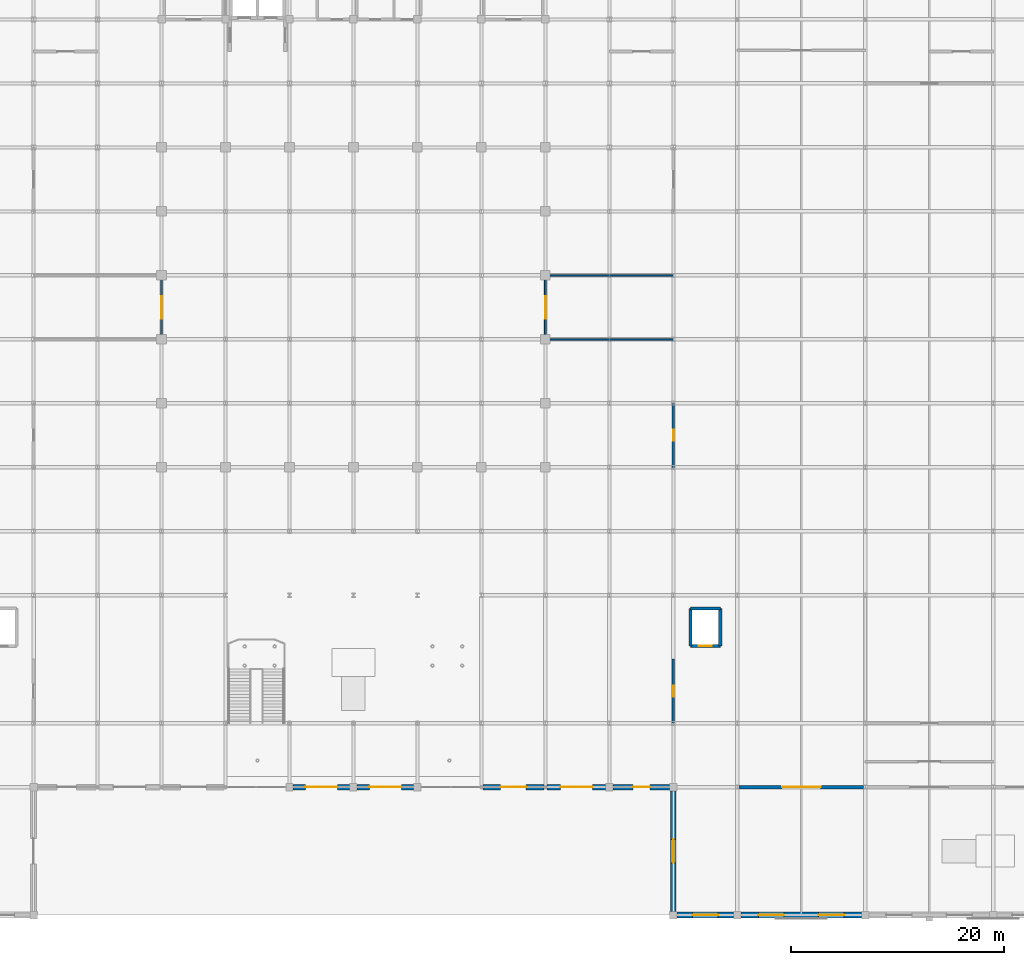
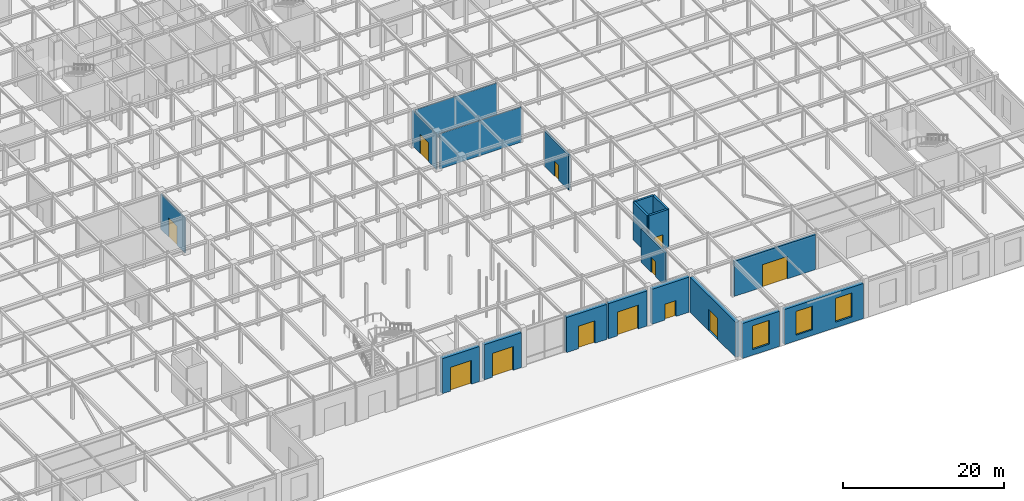
# One storey, part 42 of 51: 19 walls, 12 doors, 3 windows, 15 openings.
"""IFC4 building model written with IfcOpenShell, lengths in metres."""

from ifc_helpers import new_model, si_unit, direction, frame, frame_2d, origin, place, context, subcontext, project, spatial, rectangle, extrude, material, layer, layer_set, type_object, element, fill, save


model = new_model("IFC4")

# Units and contexts
model_context = context("Model", 3, precision=1e-05, world=origin(), true_north=direction((0.0, 1.0)))
body_context = subcontext(model_context, "Body", "Model", "MODEL_VIEW")
ifc_project = project(units=[si_unit("LENGTHUNIT", "METRE"), si_unit("AREAUNIT", "SQUARE_METRE"), si_unit("VOLUMEUNIT", "CUBIC_METRE"), si_unit("PLANEANGLEUNIT", "RADIAN"), si_unit("MASSUNIT", "GRAM", prefix="KILO")], contexts=[model_context])

# Site, building, storey
site_placement = place(None, origin())
site = spatial("IfcSite", under=ifc_project, at=site_placement, CompositionType="ELEMENT")
building_placement = place(site_placement, origin())
building = spatial("IfcBuilding", under=site, at=building_placement, Name="Zlatovratsky Civic Hall", CompositionType="ELEMENT")
storey_placement = place(building_placement, origin())
storey = spatial("IfcBuildingStorey", under=building, at=storey_placement, Name="L01", CompositionType="ELEMENT", Elevation=0.0)

# Wall, opening, door
ifc_material_1 = material(Name="Acoustic ceramic blockwork", Category="masonry")
ifc_layer_1 = layer(ifc_material_1, 0.179931640625)
ifc_layer_set_1 = layer_set([ifc_layer_1], Name="Acoustic ceramic blockwork")
wall_type_1 = type_object("IfcWallType", Name="Wall_AcousticChamberPartition_180", PredefinedType="PARTITIONING", material=ifc_layer_set_1)
wall_1_placement = place(storey_placement, frame((66.0, 54.0, 0.0), z_axis=(0.0, 0.0, 1.0), x_axis=(0.0, 1.0, 0.0)))
wall_1 = element("IfcWall", 1, at=wall_1_placement, inside=storey, type_object=wall_type_1, Name="WL-6070", PredefinedType="PARTITIONING", context=body_context, shape_type="SweptSolid", body=[
    extrude(rectangle(XDim=6.0, YDim=0.179931640625, at=frame_2d((3.0, 0.0))), origin(), (0.0, 0.0, 1.0), 5.320068359375),
])
opening_1_placement = place(wall_1_placement, frame((1.949951171875, 0.0, 0.0)))
opening_1 = element("IfcOpeningElement", 2, at=opening_1_placement, cuts=wall_1, Name="Opening D-11", PredefinedType="OPENING", context=body_context, shape_type="SweptSolid", body=[
    extrude(rectangle(XDim=2.10009765625, YDim=2.89990234375, at=frame_2d((1.050048828125, 1.449951171875))), frame((0.0, 0.10498046875, 0.0), z_axis=(0.0, -1.0, 0.0), x_axis=(1.0, 0.0, 0.0)), (0.0, 0.0, 1.0), 0.209716796875),
])
ifc_material_2 = material(Name="Solid oak joinery in steel frame", Category="steel")
door_type_1 = type_object("IfcDoorType", Name="Door_ChamberFoyerDouble_2100x2900", OperationType="DOUBLE_DOOR_SINGLE_SWING", PredefinedType="DOOR", material=ifc_material_2)
door_1_placement = place(opening_1_placement, origin())
door_1 = element("IfcDoor", 3, at=door_1_placement, inside=storey, type_object=door_type_1, Name="DR-5231", OperationType="DOUBLE_DOOR_SINGLE_SWING", OverallHeight=2.89990234375, OverallWidth=2.10009765625, PredefinedType="DOOR", context=body_context, shape_type="SweptSolid", body=[
    extrude(rectangle(XDim=2.10009765625, YDim=2.89990234375, at=frame_2d((1.050048828125, 1.449951171875))), frame((0.0, 0.02490234375, 0.0), z_axis=(0.0, -1.0, 0.0), x_axis=(1.0, 0.0, 0.0)), (0.0, 0.0, 1.0), 0.050048828125),
])
fill(opening_1, door_1)

wall_2_placement = place(storey_placement, frame((102.0, 54.0, 0.0), z_axis=(0.0, 0.0, 1.0), x_axis=(0.0, 1.0, 0.0)))
wall_2 = element("IfcWall", 4, at=wall_2_placement, inside=storey, type_object=wall_type_1, Name="WL-6073", PredefinedType="PARTITIONING", context=body_context, shape_type="SweptSolid", body=[
    extrude(rectangle(XDim=6.0, YDim=0.179931640625, at=frame_2d((3.0, 0.0))), origin(), (0.0, 0.0, 1.0), 5.320068359375),
])
opening_2_placement = place(wall_2_placement, frame((1.949951171875, 0.0, 0.0)))
opening_2 = element("IfcOpeningElement", 5, at=opening_2_placement, cuts=wall_2, Name="Opening D-11", PredefinedType="OPENING", context=body_context, shape_type="SweptSolid", body=[
    extrude(rectangle(XDim=2.10009765625, YDim=2.89990234375, at=frame_2d((1.050048828125, 1.449951171875))), frame((0.0, 0.10498046875, 0.0), z_axis=(0.0, -1.0, 0.0), x_axis=(1.0, 0.0, 0.0)), (0.0, 0.0, 1.0), 0.209716796875),
])
door_2_placement = place(opening_2_placement, origin())
door_2 = element("IfcDoor", 6, at=door_2_placement, inside=storey, type_object=door_type_1, Name="DR-5234", OperationType="DOUBLE_DOOR_SINGLE_SWING", OverallHeight=2.89990234375, OverallWidth=2.10009765625, PredefinedType="DOOR", context=body_context, shape_type="SweptSolid", body=[
    extrude(rectangle(XDim=2.10009765625, YDim=2.89990234375, at=frame_2d((1.050048828125, 1.449951171875))), frame((0.0, 0.02490234375, 0.0), z_axis=(0.0, -1.0, 0.0), x_axis=(1.0, 0.0, 0.0)), (0.0, 0.0, 1.0), 0.050048828125),
])
fill(opening_2, door_2)

ifc_layer_2 = layer(ifc_material_1, 0.260009765625)
ifc_layer_set_2 = layer_set([ifc_layer_2], Name="Acoustic ceramic blockwork")
wall_type_2 = type_object("IfcWallType", Name="Wall_ArchiveCompartment_260", PredefinedType="PARTITIONING", material=ifc_layer_set_2)
wall_3_placement = place(storey_placement, frame((114.0, 42.0, 0.0), z_axis=(0.0, 0.0, 1.0), x_axis=(0.0, 1.0, 0.0)))
wall_3 = element("IfcWall", 7, at=wall_3_placement, inside=storey, type_object=wall_type_2, Name="WL-6084", PredefinedType="PARTITIONING", context=body_context, shape_type="SweptSolid", body=[
    extrude(rectangle(XDim=6.0, YDim=0.260009765625, at=frame_2d((3.0, 0.0))), origin(), (0.0, 0.0, 1.0), 5.320068359375),
])
opening_3_placement = place(wall_3_placement, frame((2.47509765625, 0.0, 0.0)))
opening_3 = element("IfcOpeningElement", 8, at=opening_3_placement, cuts=wall_3, Name="Opening D-24", PredefinedType="OPENING", context=body_context, shape_type="SweptSolid", body=[
    extrude(rectangle(XDim=1.050048828125, YDim=2.25, at=frame_2d((0.52490234375, 1.125))), frame((0.0, 0.14501953125, 0.0), z_axis=(0.0, -1.0, 0.0), x_axis=(1.0, 0.0, 0.0)), (0.0, 0.0, 1.0), 0.289794921875),
])
door_type_2 = type_object("IfcDoorType", Name="Door_DirectorateOffice_1050x2250", OperationType="NOTDEFINED", PredefinedType="DOOR", material=ifc_material_2)
door_3_placement = place(opening_3_placement, origin())
door_3 = element("IfcDoor", 9, at=door_3_placement, inside=storey, type_object=door_type_2, Name="DR-5245", OperationType="SINGLE_SWING_LEFT", OverallHeight=2.25, OverallWidth=1.050048828125, PredefinedType="DOOR", context=body_context, shape_type="SweptSolid", body=[
    extrude(rectangle(XDim=1.050048828125, YDim=2.25, at=frame_2d((0.52490234375, 1.125))), frame((0.0, 0.02490234375, 0.0), z_axis=(0.0, -1.0, 0.0), x_axis=(1.0, 0.0, 0.0)), (0.0, 0.0, 1.0), 0.050048828125),
])
fill(opening_3, door_3)

wall_4_placement = place(storey_placement, frame((114.0, 18.0, 0.0), z_axis=(0.0, 0.0, 1.0), x_axis=(0.0, 1.0, 0.0)))
wall_4 = element("IfcWall", 10, at=wall_4_placement, inside=storey, type_object=wall_type_2, Name="WL-6090", PredefinedType="PARTITIONING", context=body_context, shape_type="SweptSolid", body=[
    extrude(rectangle(XDim=6.0, YDim=0.260009765625, at=frame_2d((3.0, 0.0))), origin(), (0.0, 0.0, 1.0), 5.076904296875),
])
opening_4_placement = place(wall_4_placement, frame((2.47509765625, 0.0, 0.0)))
opening_4 = element("IfcOpeningElement", 11, at=opening_4_placement, cuts=wall_4, Name="Opening D-24", PredefinedType="OPENING", context=body_context, shape_type="SweptSolid", body=[
    extrude(rectangle(XDim=1.050048828125, YDim=2.25, at=frame_2d((0.52490234375, 1.125))), frame((0.0, 0.14501953125, 0.0), z_axis=(0.0, -1.0, 0.0), x_axis=(1.0, 0.0, 0.0)), (0.0, 0.0, 1.0), 0.289794921875),
])
door_4_placement = place(opening_4_placement, origin())
door_4 = element("IfcDoor", 12, at=door_4_placement, inside=storey, type_object=door_type_2, Name="DR-5251", OperationType="SINGLE_SWING_LEFT", OverallHeight=2.25, OverallWidth=1.050048828125, PredefinedType="DOOR", context=body_context, shape_type="SweptSolid", body=[
    extrude(rectangle(XDim=1.050048828125, YDim=2.25, at=frame_2d((0.52490234375, 1.125))), frame((0.0, 0.02490234375, 0.0), z_axis=(0.0, -1.0, 0.0), x_axis=(1.0, 0.0, 0.0)), (0.0, 0.0, 1.0), 0.050048828125),
])
fill(opening_4, door_4)

# Walls
ifc_material_3 = material(Name="Fire-rated gypsum board framing", Category="gypsum")
ifc_layer_3 = layer(ifc_material_3, 0.139892578125)
ifc_layer_set_3 = layer_set([ifc_layer_3], Name="Fire-rated gypsum board framing")
wall_type_3 = type_object("IfcWallType", Name="Wall_OfficePartition_140", PredefinedType="PARTITIONING", material=ifc_layer_set_3)
for number, where, z_axis, x_axis, name in (
    (13, (102.340087890625, 54.0, 0.0), (0.0, 0.0, 1.0), (1.0, 0.0, 0.0), "WL-6097"),
    (14, (102.340087890625, 60.0, 0.0), (0.0, 0.0, 1.0), (1.0, 0.0, 0.0), "WL-6098"),
):
    element("IfcWall", number, at=place(storey_placement, frame(where, z_axis=z_axis, x_axis=x_axis)), inside=storey, type_object=wall_type_3, Name=name, PredefinedType="PARTITIONING", context=body_context, shape_type="SweptSolid", body=[
        extrude(rectangle(XDim=11.659912109375, YDim=0.139892578125, at=frame_2d((5.830078125, 0.0))), origin(), (0.0, 0.0, 1.0), 5.320068359375),
    ])

# Wall, opening, window
ifc_layer_4 = layer(ifc_material_1, 0.39990234375, Name="Backing")
ifc_material_4 = material(Name="Polished Karelian granite ashlar", Category="masonry")
ifc_layer_5 = layer(ifc_material_4, 0.139892578125, Name="Finish")
ifc_layer_set_4 = layer_set([ifc_layer_4, ifc_layer_5], Name="Acoustic ceramic blockwork")
wall_type_4 = type_object("IfcWallType", Name="Wall_PodiumGraniteArcade_540", PredefinedType="SOLIDWALL", material=ifc_layer_set_4)
wall_5_placement = place(storey_placement, frame((114.35009765625, 0.0, 0.0), z_axis=(0.0, 0.0, 1.0), x_axis=(1.0, 0.0, 0.0)))
wall_5 = element("IfcWall", 15, at=wall_5_placement, inside=storey, type_object=wall_type_4, Name="WL-0088", PredefinedType="SOLIDWALL", context=body_context, shape_type="SweptSolid", body=[
    extrude(rectangle(XDim=5.2998046875, YDim=0.5400390625, at=frame_2d((2.64990234375, 0.0))), origin(), (0.0, 0.0, 1.0), 5.31005859375),
])
opening_5_placement = place(wall_5_placement, frame((1.449951171875, 0.0, 0.85009765625)))
opening_5 = element("IfcOpeningElement", 16, at=opening_5_placement, cuts=wall_5, Name="Opening WN-01", PredefinedType="OPENING", context=body_context, shape_type="SweptSolid", body=[
    extrude(rectangle(XDim=2.39990234375, YDim=3.60009765625, at=frame_2d((1.199951171875, 1.800048828125))), frame((0.0, 0.284912109375, 0.0), z_axis=(0.0, -1.0, 0.0), x_axis=(1.0, 0.0, 0.0)), (0.0, 0.0, 1.0), 0.56982421875),
])
ifc_material_5 = material(Name="Low-E laminated double glazing", Category="glass")
window_type = type_object("IfcWindowType", Name="Window_GroundArcadeTall_2400x3600", PartitioningType="SINGLE_PANEL", PredefinedType="WINDOW", material=ifc_material_5)
window_1_placement = place(opening_5_placement, origin())
window_1 = element("IfcWindow", 17, at=window_1_placement, inside=storey, type_object=window_type, Name="WN-0010", OverallHeight=3.60009765625, OverallWidth=2.39990234375, PartitioningType="SINGLE_PANEL", PredefinedType="WINDOW", context=body_context, shape_type="SweptSolid", body=[
    extrude(rectangle(XDim=2.39990234375, YDim=3.60009765625, at=frame_2d((1.199951171875, 1.800048828125))), frame((0.0, 0.030029296875, 0.0), z_axis=(0.0, -1.0, 0.0), x_axis=(1.0, 0.0, 0.0)), (0.0, 0.0, 1.0), 0.06005859375),
])
fill(opening_5, window_1)

# Wall, openings, windows
wall_6_placement = place(storey_placement, frame((120.35009765625, 0.0, 0.0), z_axis=(0.0, 0.0, 1.0), x_axis=(1.0, 0.0, 0.0)))
wall_6 = element("IfcWall", 18, at=wall_6_placement, inside=storey, type_object=wall_type_4, Name="WL-0089", PredefinedType="SOLIDWALL", context=body_context, shape_type="SweptSolid", body=[
    extrude(rectangle(XDim=11.2998046875, YDim=0.5400390625, at=frame_2d((5.64990234375, 0.0))), origin(), (0.0, 0.0, 1.0), 5.31005859375),
])
opening_6_placement = place(wall_6_placement, frame((1.625, 0.0, 0.85009765625)))
opening_6 = element("IfcOpeningElement", 19, at=opening_6_placement, cuts=wall_6, Name="Opening WN-01", PredefinedType="OPENING", context=body_context, shape_type="SweptSolid", body=[
    extrude(rectangle(XDim=2.39990234375, YDim=3.60009765625, at=frame_2d((1.199951171875, 1.800048828125))), frame((0.0, 0.284912109375, 0.0), z_axis=(0.0, -1.0, 0.0), x_axis=(1.0, 0.0, 0.0)), (0.0, 0.0, 1.0), 0.56982421875),
])
opening_7_placement = place(wall_6_placement, frame((7.27490234375, 0.0, 0.85009765625)))
opening_7 = element("IfcOpeningElement", 20, at=opening_7_placement, cuts=wall_6, Name="Opening WN-01", PredefinedType="OPENING", context=body_context, shape_type="SweptSolid", body=[
    extrude(rectangle(XDim=2.39990234375, YDim=3.60009765625, at=frame_2d((1.199951171875, 1.800048828125))), frame((0.0, 0.284912109375, 0.0), z_axis=(0.0, -1.0, 0.0), x_axis=(1.0, 0.0, 0.0)), (0.0, 0.0, 1.0), 0.56982421875),
])
window_2_placement = place(opening_6_placement, origin())
window_2 = element("IfcWindow", 21, at=window_2_placement, inside=storey, type_object=window_type, Name="WN-0011", OverallHeight=3.60009765625, OverallWidth=2.39990234375, PartitioningType="SINGLE_PANEL", PredefinedType="WINDOW", context=body_context, shape_type="SweptSolid", body=[
    extrude(rectangle(XDim=2.39990234375, YDim=3.60009765625, at=frame_2d((1.199951171875, 1.800048828125))), frame((0.0, 0.030029296875, 0.0), z_axis=(0.0, -1.0, 0.0), x_axis=(1.0, 0.0, 0.0)), (0.0, 0.0, 1.0), 0.06005859375),
])
fill(opening_6, window_2)
window_3_placement = place(opening_7_placement, origin())
window_3 = element("IfcWindow", 22, at=window_3_placement, inside=storey, type_object=window_type, Name="WN-0012", OverallHeight=3.60009765625, OverallWidth=2.39990234375, PartitioningType="SINGLE_PANEL", PredefinedType="WINDOW", context=body_context, shape_type="SweptSolid", body=[
    extrude(rectangle(XDim=2.39990234375, YDim=3.60009765625, at=frame_2d((1.199951171875, 1.800048828125))), frame((0.0, 0.030029296875, 0.0), z_axis=(0.0, -1.0, 0.0), x_axis=(1.0, 0.0, 0.0)), (0.0, 0.0, 1.0), 0.06005859375),
])
fill(opening_7, window_3)

# Wall, opening, door
wall_7_placement = place(storey_placement, frame((114.0, 0.35009765625, 0.0), z_axis=(0.0, 0.0, 1.0), x_axis=(0.0, 1.0, 0.0)))
wall_7 = element("IfcWall", 23, at=wall_7_placement, inside=storey, type_object=wall_type_4, Name="WL-0095", PredefinedType="SOLIDWALL", context=body_context, shape_type="SweptSolid", body=[
    extrude(rectangle(XDim=11.2998046875, YDim=0.5400390625, at=frame_2d((5.64990234375, 0.0))), origin(), (0.0, 0.0, 1.0), 5.31005859375),
])
opening_8_placement = place(wall_7_placement, frame((4.550048828125, 0.0, 0.0)))
opening_8 = element("IfcOpeningElement", 24, at=opening_8_placement, cuts=wall_7, Name="Opening D-03", PredefinedType="OPENING", context=body_context, shape_type="SweptSolid", body=[
    extrude(rectangle(XDim=2.199951171875, YDim=3.199951171875, at=frame_2d((1.10009765625, 1.60009765625))), frame((0.0, 0.284912109375, 0.0), z_axis=(0.0, -1.0, 0.0), x_axis=(1.0, 0.0, 0.0)), (0.0, 0.0, 1.0), 0.56982421875),
])
ifc_material_6 = material(Name="Monumental cast bronze glazed portal", Category="aluminium")
door_type_3 = type_object("IfcDoorType", Name="Door_CitizensCentreEntry_2200x3200", OperationType="DOUBLE_DOOR_SINGLE_SWING", PredefinedType="DOOR", material=ifc_material_6)
door_5_placement = place(opening_8_placement, origin())
door_5 = element("IfcDoor", 25, at=door_5_placement, inside=storey, type_object=door_type_3, Name="DR-0005", OperationType="DOUBLE_DOOR_SINGLE_SWING", OverallHeight=3.199951171875, OverallWidth=2.199951171875, PredefinedType="DOOR", context=body_context, shape_type="SweptSolid", body=[
    extrude(rectangle(XDim=2.199951171875, YDim=3.199951171875, at=frame_2d((1.10009765625, 1.60009765625))), frame((0.0, 0.02490234375, 0.0), z_axis=(0.0, -1.0, 0.0), x_axis=(1.0, 0.0, 0.0)), (0.0, 0.0, 1.0), 0.050048828125),
])
fill(opening_8, door_5)

wall_8_placement = place(storey_placement, frame((78.35009765625, 12.0, 0.0), z_axis=(0.0, 0.0, 1.0), x_axis=(1.0, 0.0, 0.0)))
wall_8 = element("IfcWall", 26, at=wall_8_placement, inside=storey, type_object=wall_type_4, Name="WL-0099", PredefinedType="SOLIDWALL", context=body_context, shape_type="SweptSolid", body=[
    extrude(rectangle(XDim=5.2998046875, YDim=0.5400390625, at=frame_2d((2.64990234375, 0.0))), origin(), (0.0, 0.0, 1.0), 5.31005859375),
])
opening_9_placement = place(wall_8_placement, frame((1.14990234375, 0.0, 0.0)))
opening_9 = element("IfcOpeningElement", 27, at=opening_9_placement, cuts=wall_8, Name="Opening D-01", PredefinedType="OPENING", context=body_context, shape_type="SweptSolid", body=[
    extrude(rectangle(XDim=3.0, YDim=3.60009765625, at=frame_2d((1.5, 1.800048828125))), frame((0.0, 0.284912109375, 0.0), z_axis=(0.0, -1.0, 0.0), x_axis=(1.0, 0.0, 0.0)), (0.0, 0.0, 1.0), 0.56982421875),
])
door_type_4 = type_object("IfcDoorType", Name="Door_MainPortalBronze_3000x3600", OperationType="DOUBLE_DOOR_SINGLE_SWING", PredefinedType="DOOR", material=ifc_material_6)
door_6_placement = place(opening_9_placement, origin())
door_6 = element("IfcDoor", 28, at=door_6_placement, inside=storey, type_object=door_type_4, Name="DR-0009", OperationType="DOUBLE_DOOR_SINGLE_SWING", OverallHeight=3.60009765625, OverallWidth=3.0, PredefinedType="DOOR", context=body_context, shape_type="SweptSolid", body=[
    extrude(rectangle(XDim=3.0, YDim=3.60009765625, at=frame_2d((1.5, 1.800048828125))), frame((0.0, 0.02490234375, 0.0), z_axis=(0.0, -1.0, 0.0), x_axis=(1.0, 0.0, 0.0)), (0.0, 0.0, 1.0), 0.050048828125),
])
fill(opening_9, door_6)

wall_9_placement = place(storey_placement, frame((84.35009765625, 12.0, 0.0), z_axis=(0.0, 0.0, 1.0), x_axis=(1.0, 0.0, 0.0)))
wall_9 = element("IfcWall", 29, at=wall_9_placement, inside=storey, type_object=wall_type_4, Name="WL-0100", PredefinedType="SOLIDWALL", context=body_context, shape_type="SweptSolid", body=[
    extrude(rectangle(XDim=5.2998046875, YDim=0.5400390625, at=frame_2d((2.64990234375, 0.0))), origin(), (0.0, 0.0, 1.0), 5.31005859375),
])
opening_10_placement = place(wall_9_placement, frame((1.14990234375, 0.0, 0.0)))
opening_10 = element("IfcOpeningElement", 30, at=opening_10_placement, cuts=wall_9, Name="Opening D-01", PredefinedType="OPENING", context=body_context, shape_type="SweptSolid", body=[
    extrude(rectangle(XDim=3.0, YDim=3.60009765625, at=frame_2d((1.5, 1.800048828125))), frame((0.0, 0.284912109375, 0.0), z_axis=(0.0, -1.0, 0.0), x_axis=(1.0, 0.0, 0.0)), (0.0, 0.0, 1.0), 0.56982421875),
])
door_7_placement = place(opening_10_placement, origin())
door_7 = element("IfcDoor", 31, at=door_7_placement, inside=storey, type_object=door_type_4, Name="DR-0010", OperationType="DOUBLE_DOOR_SINGLE_SWING", OverallHeight=3.60009765625, OverallWidth=3.0, PredefinedType="DOOR", context=body_context, shape_type="SweptSolid", body=[
    extrude(rectangle(XDim=3.0, YDim=3.60009765625, at=frame_2d((1.5, 1.800048828125))), frame((0.0, 0.02490234375, 0.0), z_axis=(0.0, -1.0, 0.0), x_axis=(1.0, 0.0, 0.0)), (0.0, 0.0, 1.0), 0.050048828125),
])
fill(opening_10, door_7)

wall_10_placement = place(storey_placement, frame((96.136474609375, 12.0, 0.0), z_axis=(0.0, 0.0, 1.0), x_axis=(1.0, 0.0, 0.0)))
wall_10 = element("IfcWall", 32, at=wall_10_placement, inside=storey, type_object=wall_type_4, Name="WL-0101", PredefinedType="SOLIDWALL", context=body_context, shape_type="SweptSolid", body=[
    extrude(rectangle(XDim=5.72705078125, YDim=0.5400390625, at=frame_2d((2.863525390625, 0.0))), origin(), (0.0, 0.0, 1.0), 5.31005859375),
])
opening_11_placement = place(wall_10_placement, frame((1.6640625, 0.0, 0.0)))
opening_11 = element("IfcOpeningElement", 33, at=opening_11_placement, cuts=wall_10, Name="Opening D-02", PredefinedType="OPENING", context=body_context, shape_type="SweptSolid", body=[
    extrude(rectangle(XDim=2.39990234375, YDim=3.39990234375, at=frame_2d((1.199951171875, 1.699951171875))), frame((0.0, 0.284912109375, 0.0), z_axis=(0.0, -1.0, 0.0), x_axis=(1.0, 0.0, 0.0)), (0.0, 0.0, 1.0), 0.56982421875),
])
door_type_5 = type_object("IfcDoorType", Name="Door_PlazaColonnade_2400x3400", OperationType="DOUBLE_DOOR_SINGLE_SWING", PredefinedType="DOOR", material=ifc_material_6)
door_8_placement = place(opening_11_placement, origin())
door_8 = element("IfcDoor", 34, at=door_8_placement, inside=storey, type_object=door_type_5, Name="DR-0011", OperationType="DOUBLE_DOOR_SINGLE_SWING", OverallHeight=3.39990234375, OverallWidth=2.39990234375, PredefinedType="DOOR", context=body_context, shape_type="SweptSolid", body=[
    extrude(rectangle(XDim=2.39990234375, YDim=3.39990234375, at=frame_2d((1.199951171875, 1.699951171875))), frame((0.0, 0.02490234375, 0.0), z_axis=(0.0, -1.0, 0.0), x_axis=(1.0, 0.0, 0.0)), (0.0, 0.0, 1.0), 0.050048828125),
])
fill(opening_11, door_8)

wall_11_placement = place(storey_placement, frame((102.136474609375, 12.0, 0.0), z_axis=(0.0, 0.0, 1.0), x_axis=(1.0, 0.0, 0.0)))
wall_11 = element("IfcWall", 35, at=wall_11_placement, inside=storey, type_object=wall_type_4, Name="WL-0102", PredefinedType="SOLIDWALL", context=body_context, shape_type="SweptSolid", body=[
    extrude(rectangle(XDim=5.513427734375, YDim=0.5400390625, at=frame_2d((2.7568359375, 0.0))), origin(), (0.0, 0.0, 1.0), 5.31005859375),
])
opening_12_placement = place(wall_11_placement, frame((1.257080078125, 0.0, 0.0)))
opening_12 = element("IfcOpeningElement", 36, at=opening_12_placement, cuts=wall_11, Name="Opening D-01", PredefinedType="OPENING", context=body_context, shape_type="SweptSolid", body=[
    extrude(rectangle(XDim=3.0, YDim=3.60009765625, at=frame_2d((1.5, 1.800048828125))), frame((0.0, 0.284912109375, 0.0), z_axis=(0.0, -1.0, 0.0), x_axis=(1.0, 0.0, 0.0)), (0.0, 0.0, 1.0), 0.56982421875),
])
door_9_placement = place(opening_12_placement, origin())
door_9 = element("IfcDoor", 37, at=door_9_placement, inside=storey, type_object=door_type_4, Name="DR-0012", OperationType="DOUBLE_DOOR_SINGLE_SWING", OverallHeight=3.60009765625, OverallWidth=3.0, PredefinedType="DOOR", context=body_context, shape_type="SweptSolid", body=[
    extrude(rectangle(XDim=3.0, YDim=3.60009765625, at=frame_2d((1.5, 1.800048828125))), frame((0.0, 0.02490234375, 0.0), z_axis=(0.0, -1.0, 0.0), x_axis=(1.0, 0.0, 0.0)), (0.0, 0.0, 1.0), 0.050048828125),
])
fill(opening_12, door_9)

wall_12_placement = place(storey_placement, frame((108.35009765625, 12.0, 0.0), z_axis=(0.0, 0.0, 1.0), x_axis=(1.0, 0.0, 0.0)))
wall_12 = element("IfcWall", 38, at=wall_12_placement, inside=storey, type_object=wall_type_4, Name="WL-0103", PredefinedType="SOLIDWALL", context=body_context, shape_type="SweptSolid", body=[
    extrude(rectangle(XDim=5.2998046875, YDim=0.5400390625, at=frame_2d((2.64990234375, 0.0))), origin(), (0.0, 0.0, 1.0), 5.31005859375),
])
opening_13_placement = place(wall_12_placement, frame((1.85009765625, 0.0, 0.0)))
opening_13 = element("IfcOpeningElement", 39, at=opening_13_placement, cuts=wall_12, Name="Opening D-06", PredefinedType="OPENING", context=body_context, shape_type="SweptSolid", body=[
    extrude(rectangle(XDim=1.60009765625, YDim=2.39990234375, at=frame_2d((0.800048828125, 1.199951171875))), frame((0.0, 0.284912109375, 0.0), z_axis=(0.0, -1.0, 0.0), x_axis=(1.0, 0.0, 0.0)), (0.0, 0.0, 1.0), 0.56982421875),
])
ifc_material_7 = material(Name="Insulated painted fire-rated steel leaf", Category="steel")
door_type_6 = type_object("IfcDoorType", Name="Door_SidePlazaExit_1600x2400", OperationType="DOUBLE_DOOR_SINGLE_SWING", PredefinedType="DOOR", material=ifc_material_7)
door_10_placement = place(opening_13_placement, origin())
door_10 = element("IfcDoor", 40, at=door_10_placement, inside=storey, type_object=door_type_6, Name="DR-0013", OperationType="DOUBLE_DOOR_SINGLE_SWING", OverallHeight=2.39990234375, OverallWidth=1.60009765625, PredefinedType="DOOR", context=body_context, shape_type="SweptSolid", body=[
    extrude(rectangle(XDim=1.60009765625, YDim=2.39990234375, at=frame_2d((0.800048828125, 1.199951171875))), frame((0.0, 0.02490234375, 0.0), z_axis=(0.0, -1.0, 0.0), x_axis=(1.0, 0.0, 0.0)), (0.0, 0.0, 1.0), 0.050048828125),
])
fill(opening_13, door_10)

ifc_material_8 = material(Name="Concrete C35/45 (B40)", Category="concrete")
ifc_layer_6 = layer(ifc_material_8, 0.300048828125)
ifc_layer_set_5 = layer_set([ifc_layer_6], Name="Concrete C35/45 (B40)")
wall_type_5 = type_object("IfcWallType", Name="Wall_StairAndLiftShaft_300", PredefinedType="SHEAR", material=ifc_layer_set_5)
wall_13_placement = place(storey_placement, frame((120.175048828125, 12.0, 0.0), z_axis=(0.0, 0.0, 1.0), x_axis=(1.0, 0.0, 0.0)))
wall_13 = element("IfcWall", 41, at=wall_13_placement, inside=storey, type_object=wall_type_5, Name="WL-0130", PredefinedType="SHEAR", context=body_context, shape_type="SweptSolid", body=[
    extrude(rectangle(XDim=11.64990234375, YDim=0.300048828125, at=frame_2d((5.824951171875, 0.0))), origin(), (0.0, 0.0, 1.0), 5.31005859375),
])
opening_14_placement = place(wall_13_placement, frame((4.02490234375, 0.0, 0.0)))
opening_14 = element("IfcOpeningElement", 42, at=opening_14_placement, cuts=wall_13, Name="Opening G-01", PredefinedType="OPENING", context=body_context, shape_type="SweptSolid", body=[
    extrude(rectangle(XDim=3.60009765625, YDim=3.39990234375, at=frame_2d((1.800048828125, 1.699951171875))), frame((0.0, 0.1650390625, 0.0), z_axis=(0.0, -1.0, 0.0), x_axis=(1.0, 0.0, 0.0)), (0.0, 0.0, 1.0), 0.329833984375),
])
ifc_material_9 = material(Name="Galvanised insulated roller shutter")
door_type_7 = type_object("IfcDoorType", Name="Gate_LoadingVehicleShutter_3600x3400", OperationType="ROLLINGUP", PredefinedType="GATE", material=ifc_material_9)
door_11_placement = place(opening_14_placement, origin())
door_11 = element("IfcDoor", 43, at=door_11_placement, inside=storey, type_object=door_type_7, Name="DR-0019", OperationType="ROLLINGUP", OverallHeight=3.39990234375, OverallWidth=3.60009765625, PredefinedType="GATE", context=body_context, shape_type="SweptSolid", body=[
    extrude(rectangle(XDim=3.60009765625, YDim=3.39990234375, at=frame_2d((1.800048828125, 1.699951171875))), frame((0.0, 0.02490234375, 0.0), z_axis=(0.0, -1.0, 0.0), x_axis=(1.0, 0.0, 0.0)), (0.0, 0.0, 1.0), 0.050048828125),
])
fill(opening_14, door_11)

wall_14_placement = place(storey_placement, frame((115.60009765625, 25.25, 0.0), z_axis=(0.0, 0.0, 1.0), x_axis=(1.0, 0.0, 0.0)))
wall_14 = element("IfcWall", 44, at=wall_14_placement, inside=storey, type_object=wall_type_5, Name="WL-5993", PredefinedType="SHEAR", context=body_context, shape_type="SweptSolid", body=[
    extrude(rectangle(XDim=2.7998046875, YDim=0.300048828125, at=frame_2d((1.39990234375, 0.0))), origin(), (0.0, 0.0, 1.0), 5.760009765625),
])
opening_15_placement = place(wall_14_placement, frame((0.800048828125, 0.0, 0.0)))
opening_15 = element("IfcOpeningElement", 45, at=opening_15_placement, cuts=wall_14, Name="Opening LD-04", PredefinedType="OPENING", context=body_context, shape_type="SweptSolid", body=[
    extrude(rectangle(XDim=1.199951171875, YDim=2.199951171875, at=frame_2d((0.60009765625, 1.10009765625))), frame((0.0, 0.1650390625, 0.0), z_axis=(0.0, -1.0, 0.0), x_axis=(1.0, 0.0, 0.0)), (0.0, 0.0, 1.0), 0.329833984375),
])
ifc_material_10 = material(Name="Brushed stainless steel AISI 304", Category="steel")
door_type_8 = type_object("IfcDoorType", Name="Door_LiftLandingShuttle_1200x2200", OperationType="DOUBLE_DOOR_SLIDING", PredefinedType="DOOR", material=ifc_material_10)
door_12_placement = place(opening_15_placement, origin())
door_12 = element("IfcDoor", 46, at=door_12_placement, inside=storey, type_object=door_type_8, Name="Lift landing door LD-5201", OperationType="DOUBLE_DOOR_SLIDING", OverallHeight=2.199951171875, OverallWidth=1.199951171875, PredefinedType="DOOR", context=body_context, shape_type="SweptSolid", body=[
    extrude(rectangle(XDim=1.199951171875, YDim=2.199951171875, at=frame_2d((0.60009765625, 1.10009765625))), frame((0.0, 0.02490234375, 0.0), z_axis=(0.0, -1.0, 0.0), x_axis=(1.0, 0.0, 0.0)), (0.0, 0.0, 1.0), 0.050048828125),
])
fill(opening_15, door_12)

# Walls
wall_15_placement = place(storey_placement, frame((115.60009765625, 28.75, 0.0), z_axis=(0.0, 0.0, 1.0), x_axis=(1.0, 0.0, 0.0)))
element("IfcWall", 47, at=wall_15_placement, inside=storey, type_object=wall_type_5, Name="WL-5994", PredefinedType="SHEAR", context=body_context, shape_type="SweptSolid", body=[
    extrude(rectangle(XDim=2.7998046875, YDim=0.300048828125, at=frame_2d((1.39990234375, 0.0))), origin(), (0.0, 0.0, 1.0), 5.760009765625),
])
for number, where, z_axis, x_axis, name in (
    (48, (115.60009765625, 25.25, 0.0), (0.0, 0.0, 1.0), (0.0, 1.0, 0.0), "WL-5995"),
    (49, (118.39990234375, 25.25, 0.0), (0.0, 0.0, 1.0), (0.0, 1.0, 0.0), "WL-5996"),
):
    element("IfcWall", number, at=place(storey_placement, frame(where, z_axis=z_axis, x_axis=x_axis)), inside=storey, type_object=wall_type_5, Name=name, PredefinedType="SHEAR", context=body_context, shape_type="SweptSolid", body=[
        extrude(rectangle(XDim=3.5, YDim=0.300048828125, at=frame_2d((1.75, 0.0))), origin(), (0.0, 0.0, 1.0), 5.760009765625),
    ])

save(model, "model.ifc")
